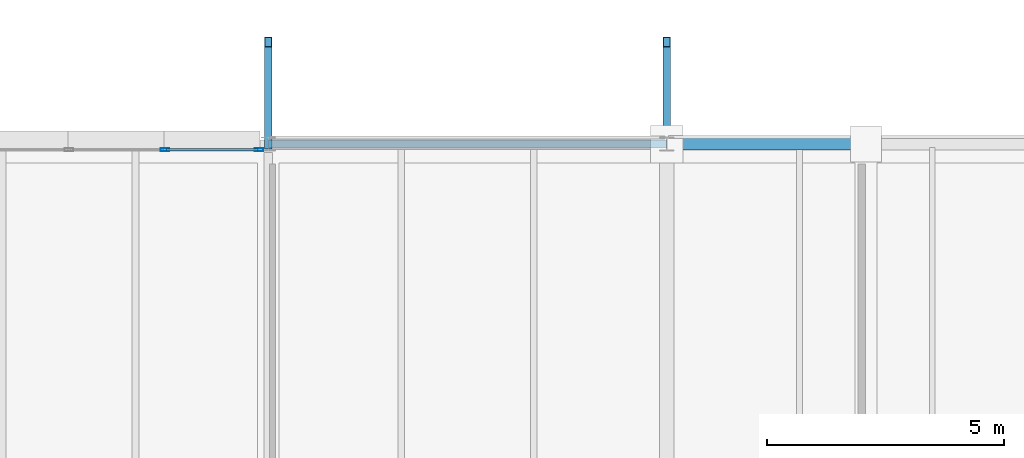
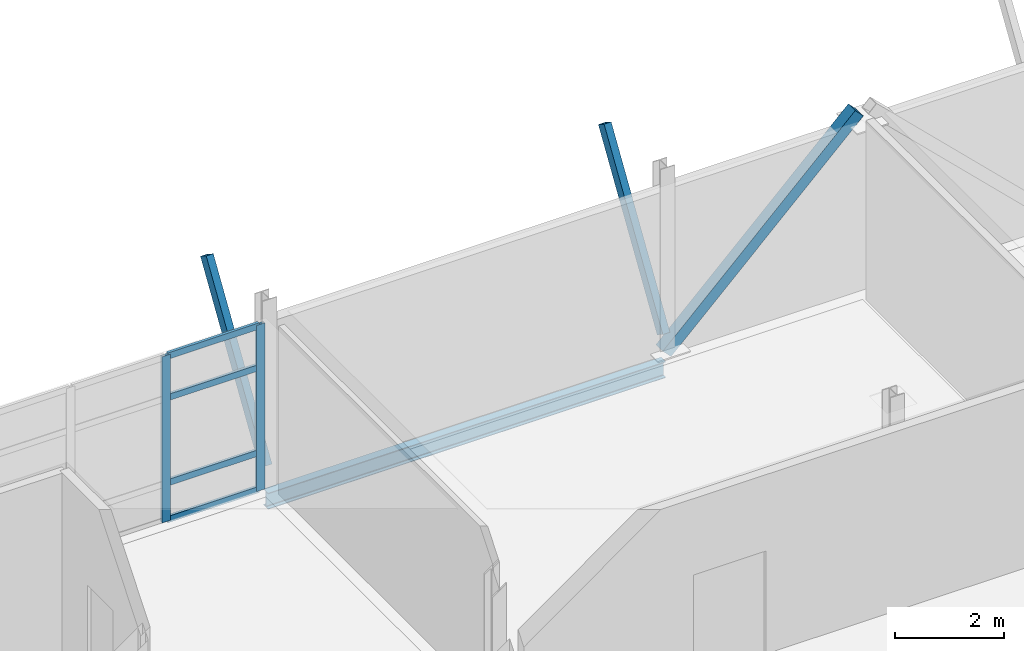
# One storey, part 15 of 35: 9 members, 1 beam, 1 element without a shape of its own.
"""IFC4 building model written with IfcOpenShell, lengths in metres."""

from ifc_helpers import new_model, si_unit, direction, frame, origin, origin_2d, place, context, subcontext, project, spatial, hollow_rectangle, i_section, extrude, material, material_profile, profile_set, type_object, element, aggregate, save


model = new_model("IFC4")

# Units and contexts
model_context = context("Model", 3, precision=1e-05, world=origin(), true_north=direction((0.0, 1.0)))
body_context = subcontext(model_context, "Body", "Model", "MODEL_VIEW")
ifc_project = project(units=[si_unit("LENGTHUNIT", "METRE"), si_unit("AREAUNIT", "SQUARE_METRE"), si_unit("VOLUMEUNIT", "CUBIC_METRE"), si_unit("PLANEANGLEUNIT", "RADIAN"), si_unit("MASSUNIT", "GRAM", prefix="KILO")], contexts=[model_context])

# Site, building, storey
site_placement = place(None, origin())
site = spatial("IfcSite", under=ifc_project, at=site_placement, CompositionType="ELEMENT")
building_placement = place(site_placement, origin())
building = spatial("IfcBuilding", under=site, at=building_placement, Name="Mersafa Astral City Hall", CompositionType="ELEMENT")
storey_placement = place(building_placement, frame((0.0, 0.0, 30.14990234375)))
storey = spatial("IfcBuildingStorey", under=building, at=storey_placement, Name="L07", CompositionType="ELEMENT", Elevation=30.14990234375)

# Curtain wall, members
ifc_material_1 = material(Name="Anodised bronze aluminium framing", Category="aluminium")
curtain_wall_type = type_object("IfcCurtainWallType", Name="ENV-CW-4", PredefinedType="USERDEFINED", material=ifc_material_1)
curtain_wall_placement = place(storey_placement, origin())
curtain_wall = element("IfcCurtainWall", 1, at=curtain_wall_placement, inside=storey, type_object=curtain_wall_type, Name="L07 Unitised solar curtain wall 273", ObjectType="UNITISED CURTAIN WALL", PredefinedType="USERDEFINED")
ifc_material_profile_1 = material_profile(ifc_material_1, hollow_rectangle(XDim=0.06005859375, YDim=0.179931640625, WallThickness=0.00390625, at=origin_2d()), Name="RHS 60x180x4")
ifc_profile_set_1 = profile_set([ifc_material_profile_1], Name="Anodised bronze aluminium framing")
member_type_1 = type_object("IfcMemberType", Name="ENV-CW-MUL-1", PredefinedType="MULLION", material=ifc_profile_set_1)
member_1_placement = place(storey_placement, frame((125.80810546875, 125.8798828125, -0.001953125), z_axis=(0.0, 0.0, 1.0), x_axis=(0.0, -1.0, 0.0)))
member_1 = element("IfcMember", 2, at=member_1_placement, type_object=member_type_1, Name="CW-4 mullion 1", PredefinedType="MULLION", context=body_context, shape_type="SweptSolid", body=[
    extrude(hollow_rectangle(XDim=0.06005859375, YDim=0.179931640625, WallThickness=0.00390625, at=origin_2d()), origin(), (0.0, 0.0, 1.0), 3.708984375),
])
member_2_placement = place(storey_placement, frame((123.819091796875, 125.8798828125, -0.001953125), z_axis=(0.0, 0.0, 1.0), x_axis=(0.0, -1.0, 0.0)))
member_2 = element("IfcMember", 3, at=member_2_placement, type_object=member_type_1, Name="CW-4 mullion 2", PredefinedType="MULLION", context=body_context, shape_type="SweptSolid", body=[
    extrude(hollow_rectangle(XDim=0.06005859375, YDim=0.179931640625, WallThickness=0.00390625, at=origin_2d()), origin(), (0.0, 0.0, 1.0), 3.708984375),
])
ifc_material_profile_2 = material_profile(ifc_material_1, hollow_rectangle(XDim=0.06005859375, YDim=0.139892578125, WallThickness=0.00390625, at=origin_2d()), Name="RHS 60x140x4")
ifc_profile_set_2 = profile_set([ifc_material_profile_2], Name="Anodised bronze aluminium framing")
member_type_2 = type_object("IfcMemberType", Name="ENV-CW-TRN-1", PredefinedType="USERDEFINED", material=ifc_profile_set_2)
member_3_placement = place(storey_placement, frame((125.778076171875, 125.8798828125, 0.028076171875), z_axis=(-1.0, 0.0, 0.0), x_axis=(0.0, -1.0, 0.0)))
member_3 = element("IfcMember", 4, at=member_3_placement, type_object=member_type_2, Name="CW-4 transom 1.1", ObjectType="TRANSOM", PredefinedType="USERDEFINED", context=body_context, shape_type="SweptSolid", body=[
    extrude(hollow_rectangle(XDim=0.06005859375, YDim=0.139892578125, WallThickness=0.00390625, at=origin_2d()), origin(), (0.0, 0.0, 1.0), 1.928955078125),
])
member_4_placement = place(storey_placement, frame((125.778076171875, 125.8798828125, 0.85009765625), z_axis=(-1.0, 0.0, 0.0), x_axis=(0.0, -1.0, 0.0)))
member_4 = element("IfcMember", 5, at=member_4_placement, type_object=member_type_2, Name="CW-4 transom 1.2", ObjectType="TRANSOM", PredefinedType="USERDEFINED", context=body_context, shape_type="SweptSolid", body=[
    extrude(hollow_rectangle(XDim=0.06005859375, YDim=0.139892578125, WallThickness=0.00390625, at=origin_2d()), origin(), (0.0, 0.0, 1.0), 1.928955078125),
])
member_5_placement = place(storey_placement, frame((125.778076171875, 125.8798828125, 2.75), z_axis=(-1.0, 0.0, 0.0), x_axis=(0.0, -1.0, 0.0)))
member_5 = element("IfcMember", 6, at=member_5_placement, type_object=member_type_2, Name="CW-4 transom 1.3", ObjectType="TRANSOM", PredefinedType="USERDEFINED", context=body_context, shape_type="SweptSolid", body=[
    extrude(hollow_rectangle(XDim=0.06005859375, YDim=0.139892578125, WallThickness=0.00390625, at=origin_2d()), origin(), (0.0, 0.0, 1.0), 1.928955078125),
])
member_6_placement = place(storey_placement, frame((125.778076171875, 125.8798828125, 3.677001953125), z_axis=(-1.0, 0.0, 0.0), x_axis=(0.0, -1.0, 0.0)))
member_6 = element("IfcMember", 7, at=member_6_placement, type_object=member_type_2, Name="CW-4 transom 1.4", ObjectType="TRANSOM", PredefinedType="USERDEFINED", context=body_context, shape_type="SweptSolid", body=[
    extrude(hollow_rectangle(XDim=0.06005859375, YDim=0.139892578125, WallThickness=0.00390625, at=origin_2d()), origin(), (0.0, 0.0, 1.0), 1.928955078125),
])
aggregate(curtain_wall, [member_1, member_2, member_3, member_4, member_5, member_6])

# Beam
ifc_material_2 = material(Name="Steel S355", Category="steel")
ifc_material_profile_3 = material_profile(ifc_material_2, i_section(OverallWidth=0.169921875, OverallDepth=0.360107421875, WebThickness=0.008056640625, FlangeThickness=0.0126953125, FilletRadius=0.01806640625, at=origin_2d()), Name="IPE 360")
ifc_profile_set_3 = profile_set([ifc_material_profile_3], Name="Steel S355")
beam_type = type_object("IfcBeamType", Name="STR-BM-SPANDREL-IPE360", PredefinedType="SPANDREL", material=ifc_profile_set_3)
beam_placement = place(storey_placement, frame((126.0029296875, 126.0, -0.35498046875), z_axis=(1.0, 0.0, 0.0), x_axis=(0.0, 1.0, 0.0)))
element("IfcBeam", 8, at=beam_placement, inside=storey, type_object=beam_type, Name="L07 Primary girder X 15-15", PredefinedType="SPANDREL", context=body_context, shape_type="SweptSolid", body=[
    extrude(i_section(OverallWidth=0.169921875, OverallDepth=0.360107421875, WebThickness=0.008056640625, FlangeThickness=0.0126953125, FilletRadius=0.01806640625, at=origin_2d()), origin(), (0.0, 0.0, 1.0), 8.39404296875),
])

# Members
ifc_material_profile_4 = material_profile(ifc_material_2, hollow_rectangle(XDim=0.14990234375, YDim=0.25, WallThickness=0.010009765625, at=origin_2d()), Name="RHS 150x250x10")
ifc_profile_set_4 = profile_set([ifc_material_profile_4], Name="Steel S355")
member_type_3 = type_object("IfcMemberType", Name="STR-MBR-STRUT-RHS150X250", PredefinedType="BRACE", material=ifc_profile_set_4)
for number, where, z_axis, x_axis, name in (
    (9, (126.0, 126.0, 0.400146484375), (0.0, 0.535580111443, 0.844484425094), (-1.0, 0.0, 0.0), "L07 Raked cosmic eave strut ROOF-T6-V6 N-15"),
    (10, (134.39990234375, 126.0, 0.400146484375), (0.0, 0.535580111443, 0.844484425094), (-1.0, 0.0, 0.0), "L07 Raked cosmic eave strut ROOF-T6-V6 N-16"),
):
    element("IfcMember", number, at=place(storey_placement, frame(where, z_axis=z_axis, x_axis=x_axis)), inside=storey, type_object=member_type_3, Name=name, PredefinedType="BRACE", context=body_context, shape_type="SweptSolid", body=[
        extrude(hollow_rectangle(XDim=0.14990234375, YDim=0.25, WallThickness=0.010009765625, at=origin_2d()), origin(), (0.0, 0.0, 1.0), 4.01416015625),
    ])
ifc_material_profile_5 = material_profile(ifc_material_2, hollow_rectangle(XDim=0.25, YDim=0.25, WallThickness=0.012451171875, at=origin_2d()), Name="RHS 250x250x12.5")
ifc_profile_set_5 = profile_set([ifc_material_profile_5], Name="Steel S355")
member_type_4 = type_object("IfcMemberType", Name="STR-MBR-STRUT-RHS250", PredefinedType="BRACE", material=ifc_profile_set_5)
member_7_placement = place(storey_placement, frame((134.39794921875, 126.0, 0.02001953125), z_axis=(0.716905180934, 0.0, 0.697170683226), x_axis=(0.0, 1.0, 0.0)))
element("IfcMember", 11, at=member_7_placement, inside=storey, type_object=member_type_4, Name="L07 Chevron lateral brace 21A", PredefinedType="BRACE", context=body_context, shape_type="SweptSolid", body=[
    extrude(hollow_rectangle(XDim=0.25, YDim=0.25, WallThickness=0.012451171875, at=origin_2d()), origin(), (0.0, 0.0, 1.0), 5.666015625),
])

save(model, "model.ifc")
